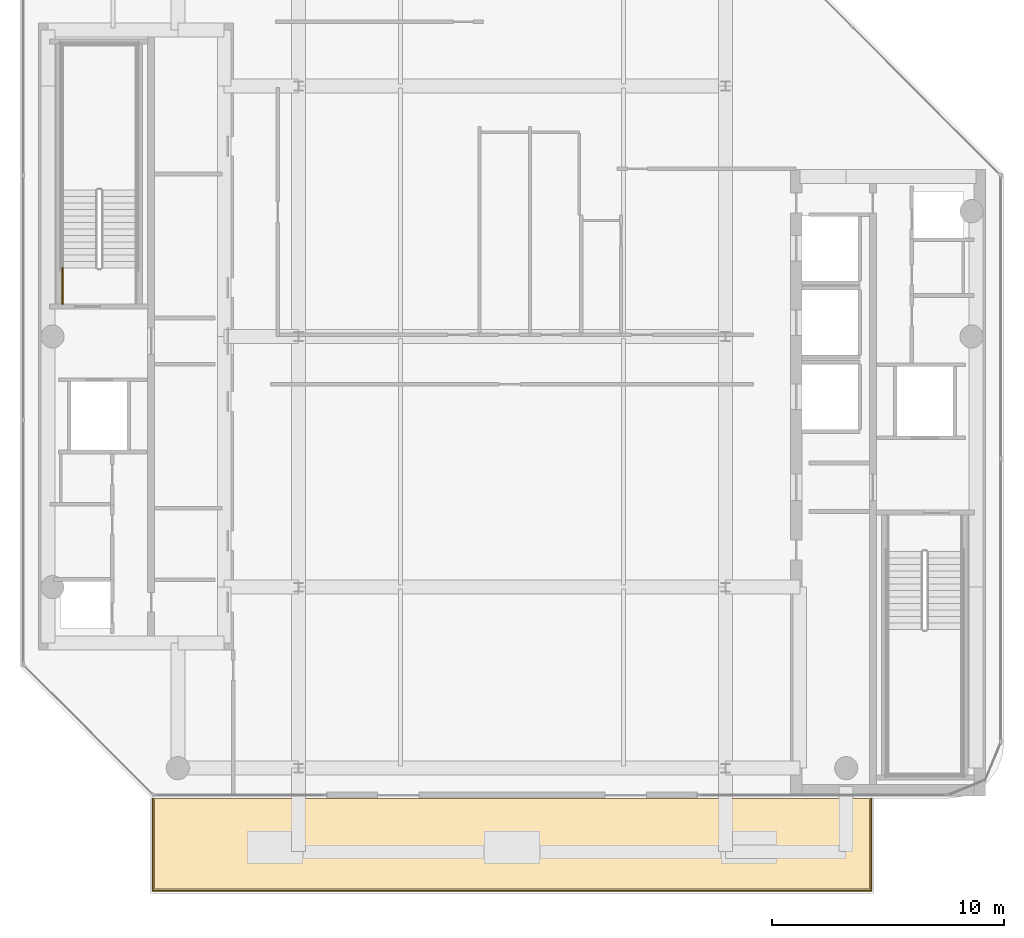
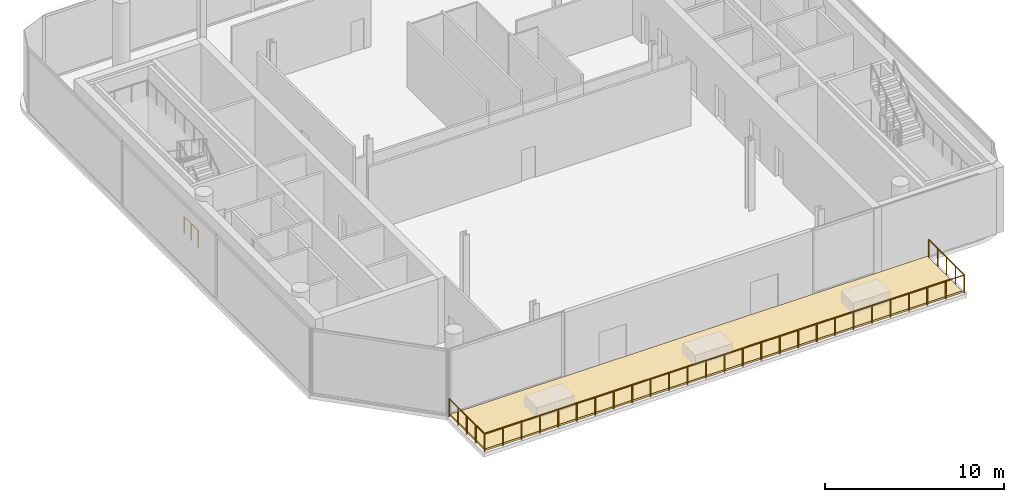
# One storey, part 11 of 14: 2 railings, 1 covering.
"""IFC4 building model written with IfcOpenShell, lengths in metres."""

from ifc_helpers import new_model, si_unit, direction, frame, origin, origin_2d, place, context, subcontext, project, spatial, polyline, circle, outline, extrude, material, layer, layer_set, type_object, element, save


model = new_model("IFC4")

# Units and contexts
model_context = context("Model", 3, precision=1e-05, world=origin(), true_north=direction((0.0, 1.0)))
body_context = subcontext(model_context, "Body", "Model", "MODEL_VIEW")
ifc_project = project(units=[si_unit("LENGTHUNIT", "METRE"), si_unit("AREAUNIT", "SQUARE_METRE"), si_unit("VOLUMEUNIT", "CUBIC_METRE"), si_unit("PLANEANGLEUNIT", "RADIAN"), si_unit("MASSUNIT", "GRAM", prefix="KILO")], contexts=[model_context])

# Site, building, storey
site_placement = place(None, origin())
site = spatial("IfcSite", under=ifc_project, at=site_placement, CompositionType="ELEMENT")
building_placement = place(site_placement, origin())
building = spatial("IfcBuilding", under=site, at=building_placement, Name="Khairoan Windgate Tower", CompositionType="ELEMENT")
storey_placement = place(building_placement, frame((0.0, 0.0, 320.39990234375)))
storey = spatial("IfcBuildingStorey", under=building, at=storey_placement, Name="L77", CompositionType="ELEMENT", Elevation=320.39990234375)

# Railing
ifc_material_1 = material(Name="Anodised Bronze Aluminium 6063-T6", Category="aluminium")
railing_type_1 = type_object("IfcRailingType", Name="Aerodynamic Bronze-and-Glass Balustrade BAL-1200", PredefinedType="BALUSTRADE", material=ifc_material_1)
railing_1_placement = place(storey_placement, frame((-15.47998046875, -19.919921875, 0.0)))
element("IfcRailing", 1, at=railing_1_placement, inside=storey, type_object=railing_type_1, Name="L77 Sky Observation Terrace Perimeter Balustrade", PredefinedType="BALUSTRADE", context=body_context, shape_type="SweptSolid", body=[
    extrude(circle(Radius=0.02392578125, at=origin_2d()), frame((0.0, 0.0, 1.22607421875), z_axis=(0.0, -1.0, 0.0), x_axis=(1.0, 0.0, 0.0)), (0.0, 0.0, 1.0), 3.9599609375),
    extrude(circle(Radius=0.02392578125, at=origin_2d()), frame((0.0, -3.9599609375, 1.22607421875), z_axis=(1.0, 0.0, 0.0), x_axis=(0.0, 1.0, 0.0)), (0.0, 0.0, 1.0), 30.9599609375),
    extrude(circle(Radius=0.02392578125, at=origin_2d()), frame((30.9599609375, -3.9599609375, 1.22607421875), z_axis=(0.0, 1.0, 0.0), x_axis=(-1.0, 0.0, 0.0)), (0.0, 0.0, 1.0), 3.9599609375),
    extrude(circle(Radius=0.02099609375, at=origin_2d()), origin(), (0.0, 0.0, 1.0), 1.201904296875),
    extrude(circle(Radius=0.02099609375, at=origin_2d()), frame((0.0, -0.989990234375, 0.0)), (0.0, 0.0, 1.0), 1.201904296875),
    extrude(circle(Radius=0.02099609375, at=origin_2d()), frame((0.0, -1.97998046875, 0.0)), (0.0, 0.0, 1.0), 1.201904296875),
    extrude(circle(Radius=0.02099609375, at=origin_2d()), frame((0.0, -2.969970703125, 0.0)), (0.0, 0.0, 1.0), 1.201904296875),
    extrude(circle(Radius=0.02099609375, at=origin_2d()), frame((0.0, -3.9599609375, 0.0)), (0.0, 0.0, 1.0), 1.201904296875),
    extrude(circle(Radius=0.02099609375, at=origin_2d()), frame((1.190673828125, -3.9599609375, 0.0)), (0.0, 0.0, 1.0), 1.201904296875),
    extrude(circle(Radius=0.02099609375, at=origin_2d()), frame((2.381591796875, -3.9599609375, 0.0)), (0.0, 0.0, 1.0), 1.201904296875),
    extrude(circle(Radius=0.02099609375, at=origin_2d()), frame((3.572265625, -3.9599609375, 0.0)), (0.0, 0.0, 1.0), 1.201904296875),
    extrude(circle(Radius=0.02099609375, at=origin_2d()), frame((4.76318359375, -3.9599609375, 0.0)), (0.0, 0.0, 1.0), 1.201904296875),
    extrude(circle(Radius=0.02099609375, at=origin_2d()), frame((5.953857421875, -3.9599609375, 0.0)), (0.0, 0.0, 1.0), 1.201904296875),
    extrude(circle(Radius=0.02099609375, at=origin_2d()), frame((7.14453125, -3.9599609375, 0.0)), (0.0, 0.0, 1.0), 1.201904296875),
    extrude(circle(Radius=0.02099609375, at=origin_2d()), frame((8.33544921875, -3.9599609375, 0.0)), (0.0, 0.0, 1.0), 1.201904296875),
    extrude(circle(Radius=0.02099609375, at=origin_2d()), frame((9.526123046875, -3.9599609375, 0.0)), (0.0, 0.0, 1.0), 1.201904296875),
    extrude(circle(Radius=0.02099609375, at=origin_2d()), frame((10.716796875, -3.9599609375, 0.0)), (0.0, 0.0, 1.0), 1.201904296875),
    extrude(circle(Radius=0.02099609375, at=origin_2d()), frame((11.90771484375, -3.9599609375, 0.0)), (0.0, 0.0, 1.0), 1.201904296875),
    extrude(circle(Radius=0.02099609375, at=origin_2d()), frame((13.098388671875, -3.9599609375, 0.0)), (0.0, 0.0, 1.0), 1.201904296875),
    extrude(circle(Radius=0.02099609375, at=origin_2d()), frame((14.289306640625, -3.9599609375, 0.0)), (0.0, 0.0, 1.0), 1.201904296875),
    extrude(circle(Radius=0.02099609375, at=origin_2d()), frame((15.47998046875, -3.9599609375, 0.0)), (0.0, 0.0, 1.0), 1.201904296875),
    extrude(circle(Radius=0.02099609375, at=origin_2d()), frame((16.670654296875, -3.9599609375, 0.0)), (0.0, 0.0, 1.0), 1.201904296875),
    extrude(circle(Radius=0.02099609375, at=origin_2d()), frame((17.861572265625, -3.9599609375, 0.0)), (0.0, 0.0, 1.0), 1.201904296875),
    extrude(circle(Radius=0.02099609375, at=origin_2d()), frame((19.05224609375, -3.9599609375, 0.0)), (0.0, 0.0, 1.0), 1.201904296875),
    extrude(circle(Radius=0.02099609375, at=origin_2d()), frame((20.2431640625, -3.9599609375, 0.0)), (0.0, 0.0, 1.0), 1.201904296875),
    extrude(circle(Radius=0.02099609375, at=origin_2d()), frame((21.433837890625, -3.9599609375, 0.0)), (0.0, 0.0, 1.0), 1.201904296875),
    extrude(circle(Radius=0.02099609375, at=origin_2d()), frame((22.62451171875, -3.9599609375, 0.0)), (0.0, 0.0, 1.0), 1.201904296875),
    extrude(circle(Radius=0.02099609375, at=origin_2d()), frame((23.8154296875, -3.9599609375, 0.0)), (0.0, 0.0, 1.0), 1.201904296875),
    extrude(circle(Radius=0.02099609375, at=origin_2d()), frame((25.006103515625, -3.9599609375, 0.0)), (0.0, 0.0, 1.0), 1.201904296875),
    extrude(circle(Radius=0.02099609375, at=origin_2d()), frame((26.19677734375, -3.9599609375, 0.0)), (0.0, 0.0, 1.0), 1.201904296875),
    extrude(circle(Radius=0.02099609375, at=origin_2d()), frame((27.3876953125, -3.9599609375, 0.0)), (0.0, 0.0, 1.0), 1.201904296875),
    extrude(circle(Radius=0.02099609375, at=origin_2d()), frame((28.578369140625, -3.9599609375, 0.0)), (0.0, 0.0, 1.0), 1.201904296875),
    extrude(circle(Radius=0.02099609375, at=origin_2d()), frame((29.769287109375, -3.9599609375, 0.0)), (0.0, 0.0, 1.0), 1.201904296875),
    extrude(circle(Radius=0.02099609375, at=origin_2d()), frame((30.9599609375, -3.9599609375, 0.0)), (0.0, 0.0, 1.0), 1.201904296875),
    extrude(circle(Radius=0.02099609375, at=origin_2d()), frame((30.9599609375, -2.969970703125, 0.0)), (0.0, 0.0, 1.0), 1.201904296875),
    extrude(circle(Radius=0.02099609375, at=origin_2d()), frame((30.9599609375, -1.97998046875, 0.0)), (0.0, 0.0, 1.0), 1.201904296875),
    extrude(circle(Radius=0.02099609375, at=origin_2d()), frame((30.9599609375, -0.989990234375, 0.0)), (0.0, 0.0, 1.0), 1.201904296875),
    extrude(circle(Radius=0.02099609375, at=origin_2d()), frame((30.9599609375, 0.0, 0.0)), (0.0, 0.0, 1.0), 1.201904296875),
])

# Covering
ifc_material_2 = material(Name="EPDM Waterproofing Membrane", Category="membrane")
ifc_layer = layer(ifc_material_2, 0.1201171875, Name="EPDM Waterproofing Membrane")
ifc_layer_set = layer_set([ifc_layer], Name="EPDM Waterproofing Membrane")
covering_type = type_object("IfcCoveringType", Name="Insulated EPDM Terrace and Canopy Roofing Membrane", PredefinedType="ROOFING", material=ifc_layer_set)
covering_placement = place(storey_placement, origin())
element("IfcCovering", 2, at=covering_placement, inside=storey, type_object=covering_type, Name="L77 Observation Terrace Waterproofing Finish", PredefinedType="ROOFING", context=body_context, shape_type="SweptSolid", body=[
    extrude(outline(polyline([(-15.39990234375, -23.800048828125), (15.39990234375, -23.800048828125), (15.39990234375, -19.89990234375), (-15.39990234375, -19.89990234375), (-15.39990234375, -23.800048828125)])), origin(), (0.0, 0.0, 1.0), 0.1201171875),
])

# Railing
ifc_material_3 = material(Name="Steel S355", Category="steel")
railing_type_2 = type_object("IfcRailingType", Name="Stairwell Safety Guardrail SGR-1150", PredefinedType="GUARDRAIL", material=ifc_material_3)
railing_2_placement = place(storey_placement, frame((-19.3701171875, 1.39990234375, 0.0)))
element("IfcRailing", 3, at=railing_2_placement, inside=storey, type_object=railing_type_2, Name="L77 ST2 stair guard 9", PredefinedType="GUARDRAIL", context=body_context, shape_type="SweptSolid", body=[
    extrude(circle(Radius=0.02392578125, at=origin_2d()), frame((0.0, 0.0, 1.1259765625), z_axis=(0.0, 1.0, 0.0), x_axis=(-1.0, 0.0, 0.0)), (0.0, 0.0, 1.0), 1.56005859375),
    extrude(circle(Radius=0.02099609375, at=origin_2d()), origin(), (0.0, 0.0, 1.0), 1.101806640625),
    extrude(circle(Radius=0.02099609375, at=origin_2d()), frame((0.0, 0.780029296875, 0.0)), (0.0, 0.0, 1.0), 1.101806640625),
    extrude(circle(Radius=0.02099609375, at=origin_2d()), frame((0.0, 1.56005859375, 0.0)), (0.0, 0.0, 1.0), 1.101806640625),
])

save(model, "model.ifc")
